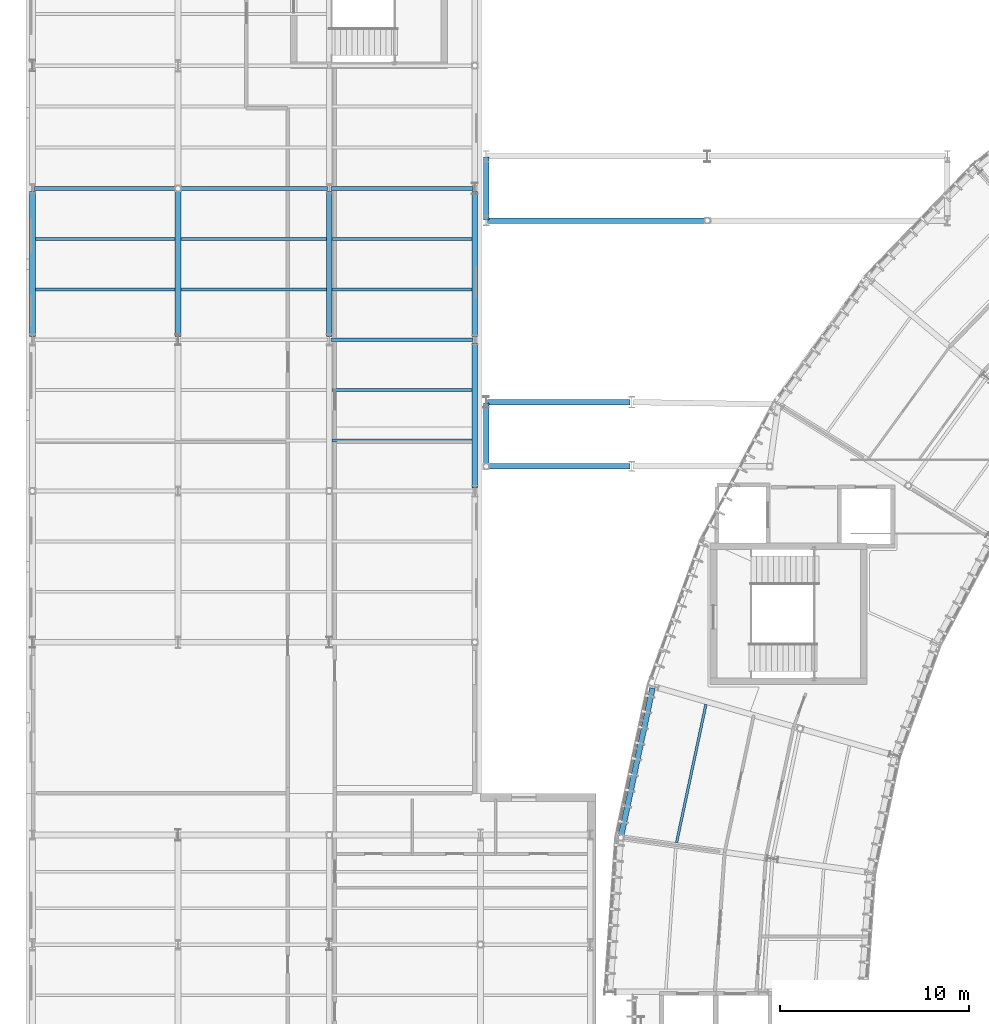
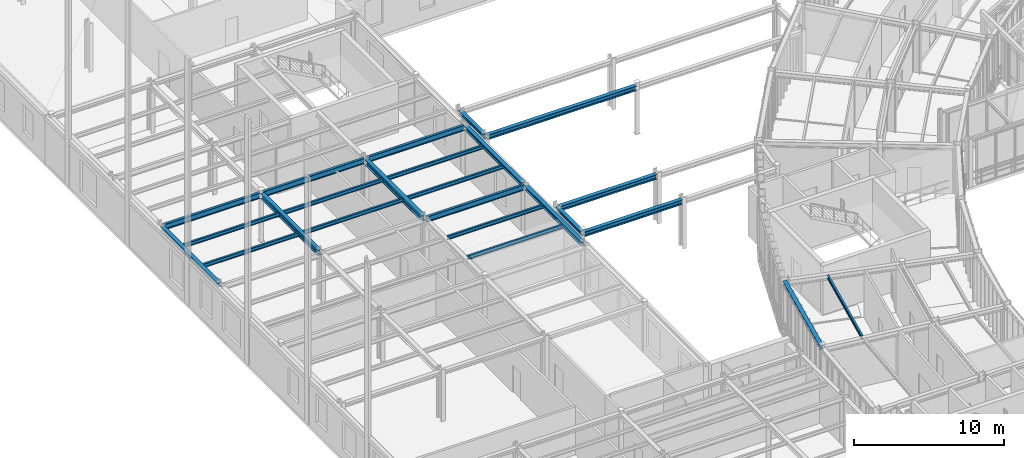
# One storey, part 21 of 148: 24 beams.
"""IFC4 building model written with IfcOpenShell, lengths in metres."""

from ifc_helpers import new_model, si_unit, direction, frame, origin, origin_2d, place, context, subcontext, project, spatial, i_section, extrude, material, material_profile, profile_set, type_object, element, save


model = new_model("IFC4")

# Units and contexts
model_context = context("Model", 3, precision=1e-05, world=origin(), true_north=direction((0.0, 1.0)))
body_context = subcontext(model_context, "Body", "Model", "MODEL_VIEW")
ifc_project = project(units=[si_unit("LENGTHUNIT", "METRE"), si_unit("AREAUNIT", "SQUARE_METRE"), si_unit("VOLUMEUNIT", "CUBIC_METRE"), si_unit("PLANEANGLEUNIT", "RADIAN"), si_unit("MASSUNIT", "GRAM", prefix="KILO"), si_unit("THERMODYNAMICTEMPERATUREUNIT", "KELVIN"), si_unit("POWERUNIT", "WATT")], contexts=[model_context])

# Site, building, storey
site_placement = place(None, origin())
site = spatial("IfcSite", under=ifc_project, at=site_placement, CompositionType="ELEMENT")
building_placement = place(site_placement, origin())
building = spatial("IfcBuilding", under=site, at=building_placement, Name="Solvatero Civic Police Headquarters", CompositionType="ELEMENT")
storey_placement = place(building_placement, frame((0.0, 0.0, 5.10009765625)))
storey = spatial("IfcBuildingStorey", under=building, at=storey_placement, Name="L01", CompositionType="ELEMENT", Elevation=5.10009765625)

# Beams
ifc_material = material(Name="Steel S355", Category="steel")
ifc_material_profile_1 = material_profile(ifc_material, i_section(OverallWidth=0.300048828125, OverallDepth=0.31005859375, WebThickness=0.009033203125, FlangeThickness=0.015380859375, FilletRadius=0.027099609375, at=origin_2d()), Name="HEA 320")
ifc_profile_set_1 = profile_set([ifc_material_profile_1], Name="Steel S355")
beam_type_1 = type_object("IfcBeamType", Name="BM-ST-HEA320", PredefinedType="SPANDREL", material=ifc_profile_set_1)
for number, where, z_axis, x_axis, name in (
    (1, (4.800048828125, 60.659912109375, 3.824951171875), (0.0, 1.0, 0.0), (-1.0, 0.0, 0.0), "Perimeter / radial spandrel beam BM-R2-L01-V6-GY-1-3"),
    (2, (28.199951171875, 52.659912109375, 3.824951171875), (0.0, 1.0, 0.0), (-1.0, 0.0, 0.0), "Perimeter / radial spandrel beam BM-R2-L01-V6-GY-4-2"),
    (3, (28.199951171875, 60.659912109375, 3.824951171875), (0.0, 1.0, 0.0), (-1.0, 0.0, 0.0), "Perimeter / radial spandrel beam BM-R2-L01-V6-GY-4-3"),
):
    element("IfcBeam", number, at=place(storey_placement, frame(where, z_axis=z_axis, x_axis=x_axis)), inside=storey, type_object=beam_type_1, Name=name, PredefinedType="SPANDREL", context=body_context, shape_type="SweptSolid", body=[
        extrude(i_section(OverallWidth=0.300048828125, OverallDepth=0.31005859375, WebThickness=0.009033203125, FlangeThickness=0.015380859375, FilletRadius=0.027099609375, at=origin_2d()), origin(), (0.0, 0.0, 1.0), 7.68017578125),
    ])
beam_1_placement = place(storey_placement, frame((37.601318359375, 42.068359375, 3.824951171875), z_axis=(-0.207912160321, -0.978147500938, 0.0), x_axis=(0.978147500938, -0.207912160321, 0.0)))
element("IfcBeam", 4, at=beam_1_placement, inside=storey, type_object=beam_type_1, Name="Perimeter / radial spandrel beam BM-R2-L01-ARC-COUT-B11", PredefinedType="SPANDREL", context=body_context, shape_type="SweptSolid", body=[
    extrude(i_section(OverallWidth=0.300048828125, OverallDepth=0.31005859375, WebThickness=0.009033203125, FlangeThickness=0.015380859375, FilletRadius=0.027099609375, at=origin_2d()), origin(), (0.0, 0.0, 1.0), 7.982666015625),
])
ifc_material_profile_2 = material_profile(ifc_material, i_section(OverallWidth=0.300048828125, OverallDepth=0.389892578125, WebThickness=0.010986328125, FlangeThickness=0.01904296875, FilletRadius=0.027099609375, at=origin_2d()), Name="HEA 400")
ifc_profile_set_2 = profile_set([ifc_material_profile_2], Name="Steel S355")
beam_type_2 = type_object("IfcBeamType", Name="BM-ST-HEA400", PredefinedType="BEAM", material=ifc_profile_set_2)
for number, where, z_axis, x_axis, name in (
    (5, (28.8798828125, 53.800048828125, 3.7548828125), (1.0, 0.0, 0.0), (0.0, 1.0, 0.0), "Primary girder BM-R2-L01-SB1-S-1"),
    (6, (28.8798828125, 57.199951171875, 3.7548828125), (1.0, 0.0, 0.0), (0.0, 1.0, 0.0), "Primary girder BM-R2-L01-SB1-N-1"),
):
    element("IfcBeam", number, at=place(storey_placement, frame(where, z_axis=z_axis, x_axis=x_axis)), inside=storey, type_object=beam_type_2, Name=name, PredefinedType="BEAM", context=body_context, shape_type="SweptSolid", body=[
        extrude(i_section(OverallWidth=0.300048828125, OverallDepth=0.389892578125, WebThickness=0.010986328125, FlangeThickness=0.01904296875, FilletRadius=0.027099609375, at=origin_2d()), origin(), (0.0, 0.0, 1.0), 7.5400390625),
    ])
beam_2_placement = place(storey_placement, frame((28.8798828125, 66.800048828125, 3.7548828125), z_axis=(1.0, 0.0, 0.0), x_axis=(0.0, 1.0, 0.0)))
element("IfcBeam", 7, at=beam_2_placement, inside=storey, type_object=beam_type_2, Name="Primary girder BM-R2-L01-SB2-S-1", PredefinedType="BEAM", context=body_context, shape_type="SweptSolid", body=[
    extrude(i_section(OverallWidth=0.300048828125, OverallDepth=0.389892578125, WebThickness=0.010986328125, FlangeThickness=0.01904296875, FilletRadius=0.027099609375, at=origin_2d()), origin(), (0.0, 0.0, 1.0), 11.5400390625),
])
ifc_material_profile_3 = material_profile(ifc_material, i_section(OverallWidth=0.300048828125, OverallDepth=0.43994140625, WebThickness=0.011474609375, FlangeThickness=0.02099609375, FilletRadius=0.027099609375, at=origin_2d()), Name="HEA 450")
ifc_profile_set_3 = profile_set([ifc_material_profile_3], Name="Steel S355")
beam_type_3 = type_object("IfcBeamType", Name="BM-ST-HEA450", PredefinedType="BEAM", material=ifc_profile_set_3)
for number, where, z_axis, x_axis, name in (
    (8, (12.5, 60.659912109375, 3.760009765625), (0.0, 1.0, 0.0), (-1.0, 0.0, 0.0), "Primary girder BM-R2-L01-V6-GY-2-3"),
    (9, (20.5, 60.659912109375, 3.760009765625), (0.0, 1.0, 0.0), (-1.0, 0.0, 0.0), "Primary girder BM-R2-L01-V6-GY-3-3"),
):
    element("IfcBeam", number, at=place(storey_placement, frame(where, z_axis=z_axis, x_axis=x_axis)), inside=storey, type_object=beam_type_3, Name=name, PredefinedType="BEAM", context=body_context, shape_type="SweptSolid", body=[
        extrude(i_section(OverallWidth=0.300048828125, OverallDepth=0.43994140625, WebThickness=0.011474609375, FlangeThickness=0.02099609375, FilletRadius=0.027099609375, at=origin_2d()), origin(), (0.0, 0.0, 1.0), 7.68017578125),
    ])
ifc_material_profile_4 = material_profile(ifc_material, i_section(OverallWidth=0.300048828125, OverallDepth=0.39990234375, WebThickness=0.013427734375, FlangeThickness=0.02392578125, FilletRadius=0.027099609375, at=origin_2d()), Name="HEB 400")
ifc_profile_set_4 = profile_set([ifc_material_profile_4], Name="Steel S355")
beam_type_4 = type_object("IfcBeamType", Name="BM-ST-HEB400", PredefinedType="BEAM", material=ifc_profile_set_4)
for number, where, z_axis, x_axis, name in (
    (10, (28.800048828125, 53.840087890625, 3.75), (0.0, 1.0, 0.0), (-1.0, 0.0, 0.0), "Primary girder BM-R2-L01-SB1-SEAT-W"),
    (11, (28.800048828125, 66.840087890625, 3.75), (0.0, 1.0, 0.0), (-1.0, 0.0, 0.0), "Primary girder BM-R2-L01-SB2-SEAT-W"),
):
    element("IfcBeam", number, at=place(storey_placement, frame(where, z_axis=z_axis, x_axis=x_axis)), inside=storey, type_object=beam_type_4, Name=name, PredefinedType="BEAM", context=body_context, shape_type="SweptSolid", body=[
        extrude(i_section(OverallWidth=0.300048828125, OverallDepth=0.39990234375, WebThickness=0.013427734375, FlangeThickness=0.02392578125, FilletRadius=0.027099609375, at=origin_2d()), origin(), (0.0, 0.0, 1.0), 3.31982421875),
    ])
ifc_material_profile_5 = material_profile(ifc_material, i_section(OverallWidth=0.135009765625, OverallDepth=0.27001953125, WebThickness=0.006591796875, FlangeThickness=0.01025390625, FilletRadius=0.014892578125, at=origin_2d()), Name="IPE 270")
ifc_profile_set_5 = profile_set([ifc_material_profile_5], Name="Steel S355")
beam_type_5 = type_object("IfcBeamType", Name="BM-ST-IPE270", PredefinedType="BEAM", material=ifc_profile_set_5)
beam_3_placement = place(storey_placement, frame((40.426513671875, 41.206298828125, 3.844970703125), z_axis=(-0.207904092949, -0.97814921568, 0.0), x_axis=(0.97814921568, -0.207904092949, 0.0)))
element("IfcBeam", 12, at=beam_3_placement, inside=storey, type_object=beam_type_5, Name="Composite floor beam BM-R2-L01-ARC-CS2-B11", PredefinedType="BEAM", context=body_context, shape_type="SweptSolid", body=[
    extrude(i_section(OverallWidth=0.135009765625, OverallDepth=0.27001953125, WebThickness=0.006591796875, FlangeThickness=0.01025390625, FilletRadius=0.014892578125, at=origin_2d()), origin(), (0.0, 0.0, 1.0), 7.470947265625),
])
ifc_material_profile_6 = material_profile(ifc_material, i_section(OverallWidth=0.14990234375, OverallDepth=0.300048828125, WebThickness=0.007080078125, FlangeThickness=0.0107421875, FilletRadius=0.014892578125, at=origin_2d()), Name="IPE 300")
ifc_profile_set_6 = profile_set([ifc_material_profile_6], Name="Steel S355")
beam_type_6 = type_object("IfcBeamType", Name="BM-ST-IPE300", PredefinedType="BEAM", material=ifc_profile_set_6)
for number, where, z_axis, x_axis, name in (
    (13, (4.949951171875, 63.166748046875, 3.829833984375), (1.0, 0.0, 0.0), (0.0, 1.0, 0.0), "Composite floor beam BM-R2-L01-V6-SEC-1-3-S1"),
    (14, (4.949951171875, 65.833251953125, 3.829833984375), (1.0, 0.0, 0.0), (0.0, 1.0, 0.0), "Composite floor beam BM-R2-L01-V6-SEC-1-3-S2"),
):
    element("IfcBeam", number, at=place(storey_placement, frame(where, z_axis=z_axis, x_axis=x_axis)), inside=storey, type_object=beam_type_6, Name=name, PredefinedType="BEAM", context=body_context, shape_type="SweptSolid", body=[
        extrude(i_section(OverallWidth=0.14990234375, OverallDepth=0.300048828125, WebThickness=0.007080078125, FlangeThickness=0.0107421875, FilletRadius=0.014892578125, at=origin_2d()), origin(), (0.0, 0.0, 1.0), 7.400146484375),
    ])
for number, where, z_axis, x_axis, name in (
    (15, (12.64990234375, 63.166748046875, 3.829833984375), (1.0, 0.0, 0.0), (0.0, 1.0, 0.0), "Composite floor beam BM-R2-L01-V6-SEC-2-3-S1"),
    (16, (12.64990234375, 65.833251953125, 3.829833984375), (1.0, 0.0, 0.0), (0.0, 1.0, 0.0), "Composite floor beam BM-R2-L01-V6-SEC-2-3-S2"),
):
    element("IfcBeam", number, at=place(storey_placement, frame(where, z_axis=z_axis, x_axis=x_axis)), inside=storey, type_object=beam_type_6, Name=name, PredefinedType="BEAM", context=body_context, shape_type="SweptSolid", body=[
        extrude(i_section(OverallWidth=0.14990234375, OverallDepth=0.300048828125, WebThickness=0.007080078125, FlangeThickness=0.0107421875, FilletRadius=0.014892578125, at=origin_2d()), origin(), (0.0, 0.0, 1.0), 7.7001953125),
    ])
for number, where, z_axis, x_axis, name in (
    (17, (20.64990234375, 55.166748046875, 3.829833984375), (1.0, 0.0, 0.0), (0.0, 1.0, 0.0), "Composite floor beam BM-R2-L01-V6-SEC-3-2-S1"),
    (18, (20.64990234375, 57.833251953125, 3.829833984375), (1.0, 0.0, 0.0), (0.0, 1.0, 0.0), "Composite floor beam BM-R2-L01-V6-SEC-3-2-S2"),
    (19, (20.64990234375, 63.166748046875, 3.829833984375), (1.0, 0.0, 0.0), (0.0, 1.0, 0.0), "Composite floor beam BM-R2-L01-V6-SEC-3-3-S1"),
    (20, (20.64990234375, 65.833251953125, 3.829833984375), (1.0, 0.0, 0.0), (0.0, 1.0, 0.0), "Composite floor beam BM-R2-L01-V6-SEC-3-3-S2"),
):
    element("IfcBeam", number, at=place(storey_placement, frame(where, z_axis=z_axis, x_axis=x_axis)), inside=storey, type_object=beam_type_6, Name=name, PredefinedType="BEAM", context=body_context, shape_type="SweptSolid", body=[
        extrude(i_section(OverallWidth=0.14990234375, OverallDepth=0.300048828125, WebThickness=0.007080078125, FlangeThickness=0.0107421875, FilletRadius=0.014892578125, at=origin_2d()), origin(), (0.0, 0.0, 1.0), 7.400146484375),
    ])
ifc_material_profile_7 = material_profile(ifc_material, i_section(OverallWidth=0.18994140625, OverallDepth=0.449951171875, WebThickness=0.009521484375, FlangeThickness=0.0146484375, FilletRadius=0.02099609375, at=origin_2d()), Name="IPE 450")
ifc_profile_set_7 = profile_set([ifc_material_profile_7], Name="Steel S355")
beam_type_7 = type_object("IfcBeamType", Name="BM-ST-IPE450", PredefinedType="BEAM", material=ifc_profile_set_7)
for number, where, z_axis, x_axis, name in (
    (21, (20.60009765625, 60.5, 3.7548828125), (1.0, 0.0, 0.0), (0.0, 1.0, 0.0), "Primary girder BM-R2-L01-V6-GX-3-3"),
    (22, (4.89990234375, 68.5, 3.7548828125), (1.0, 0.0, 0.0), (0.0, 1.0, 0.0), "Primary girder BM-R2-L01-V6-GX-1-4"),
):
    element("IfcBeam", number, at=place(storey_placement, frame(where, z_axis=z_axis, x_axis=x_axis)), inside=storey, type_object=beam_type_7, Name=name, PredefinedType="BEAM", context=body_context, shape_type="SweptSolid", body=[
        extrude(i_section(OverallWidth=0.18994140625, OverallDepth=0.449951171875, WebThickness=0.009521484375, FlangeThickness=0.0146484375, FilletRadius=0.02099609375, at=origin_2d()), origin(), (0.0, 0.0, 1.0), 7.5),
    ])
beam_4_placement = place(storey_placement, frame((12.60009765625, 68.5, 3.7548828125), z_axis=(1.0, 0.0, 0.0), x_axis=(0.0, 1.0, 0.0)))
element("IfcBeam", 23, at=beam_4_placement, inside=storey, type_object=beam_type_7, Name="Primary girder BM-R2-L01-V6-GX-2-4", PredefinedType="BEAM", context=body_context, shape_type="SweptSolid", body=[
    extrude(i_section(OverallWidth=0.18994140625, OverallDepth=0.449951171875, WebThickness=0.009521484375, FlangeThickness=0.0146484375, FilletRadius=0.02099609375, at=origin_2d()), origin(), (0.0, 0.0, 1.0), 7.7998046875),
])
beam_5_placement = place(storey_placement, frame((20.60009765625, 68.5, 3.7548828125), z_axis=(1.0, 0.0, 0.0), x_axis=(0.0, 1.0, 0.0)))
element("IfcBeam", 24, at=beam_5_placement, inside=storey, type_object=beam_type_7, Name="Primary girder BM-R2-L01-V6-GX-3-4", PredefinedType="BEAM", context=body_context, shape_type="SweptSolid", body=[
    extrude(i_section(OverallWidth=0.18994140625, OverallDepth=0.449951171875, WebThickness=0.009521484375, FlangeThickness=0.0146484375, FilletRadius=0.02099609375, at=origin_2d()), origin(), (0.0, 0.0, 1.0), 7.5),
])

save(model, "model.ifc")
